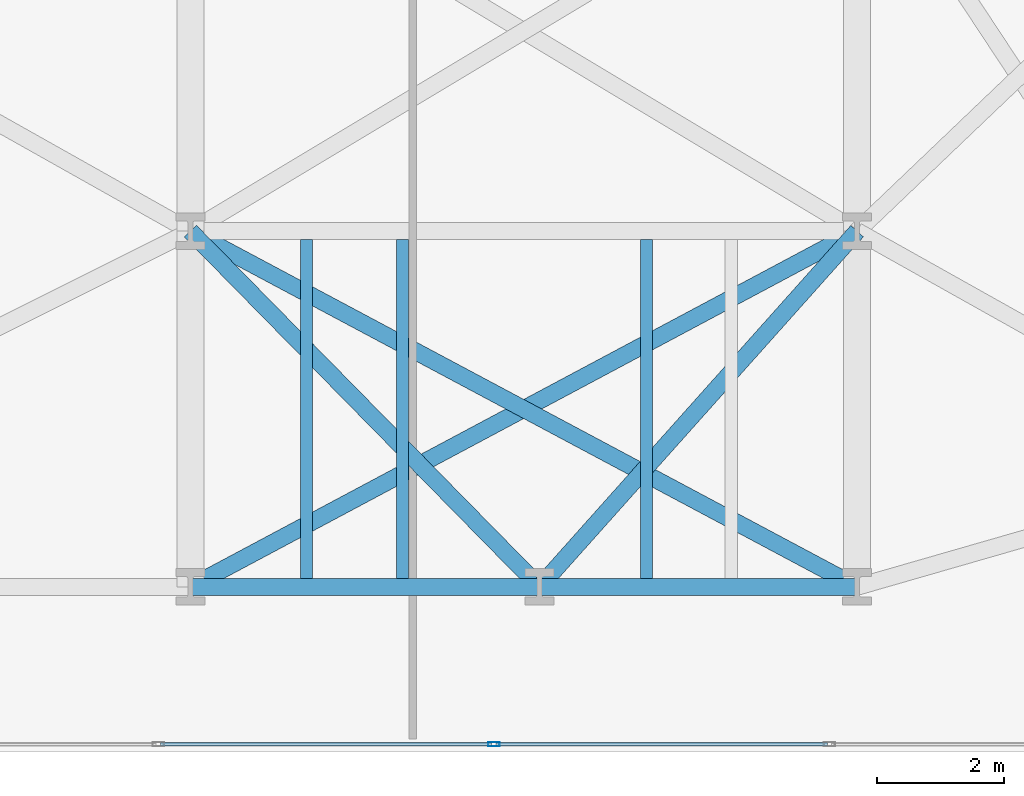
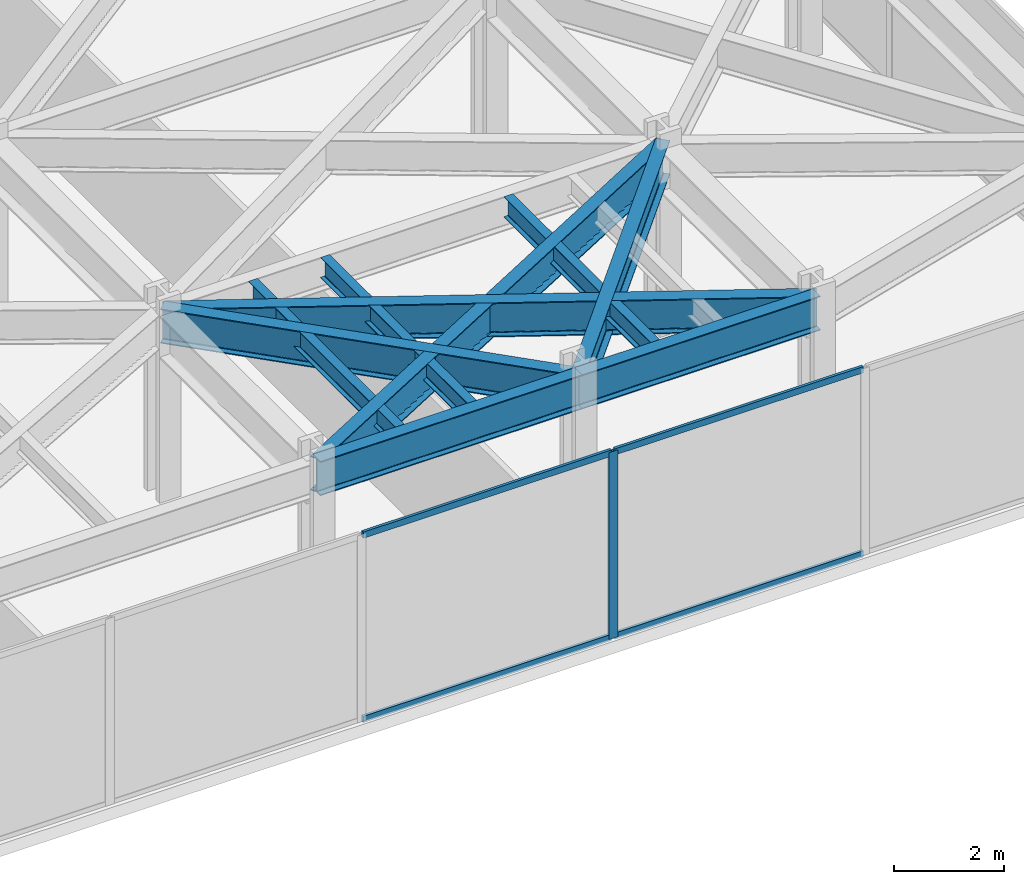
# One storey, part 17 of 30: 9 beams, 5 members, 1 element without a shape of its own.
"""IFC4 building model written with IfcOpenShell, lengths in metres."""

import ifcopenshell
import ifcopenshell.guid

model = None  # the IFC model being written
_history = None  # IfcOwnerHistory: only IFC2X3 demands one
_inside = {}  # id of a spatial element -> (the spatial element, [elements in it])
_under = {}  # id of a project, library or spatial element -> (it, [spatial elements below it])
_declared = {}  # id of a project -> (the project, [libraries it declares])
_typed = {}  # id of a type object -> (the type object, [elements of that type])
_made_of = {}  # id of a material, layer set ... -> (it, [elements and type objects made of it])


def new_model(schema):
    """Start an empty IFC model of exactly this schema.

    Asked for "IFC4X3", IfcOpenShell would pick the latest addendum, in which some entities
    have other attributes; the version numbers below select the first issue.
    IFC2X3 requires an IfcOwnerHistory on every rooted entity: one is made here for all.
    """
    global model, _history
    if schema == "IFC4X3":
        model = ifcopenshell.file(schema_version=(4, 3, 0, 0))
    else:
        model = ifcopenshell.file(schema=schema)
    _inside.clear()
    _under.clear()
    _declared.clear()
    _typed.clear()
    _made_of.clear()
    _history = None
    if model.schema == "IFC2X3":
        org = make("IfcOrganization", Name="unknown")
        user = make(
            "IfcPersonAndOrganization",
            ThePerson=make("IfcPerson", FamilyName="unknown"),
            TheOrganization=org,
        )
        app = make(
            "IfcApplication",
            ApplicationDeveloper=org,
            Version="unknown",
            ApplicationFullName="unknown",
            ApplicationIdentifier="unknown",
        )
        _history = make(
            "IfcOwnerHistory",
            OwningUser=user,
            OwningApplication=app,
            ChangeAction="ADDED",
            CreationDate=0,
        )
    return model


def make(cls, **values):
    """One entity of the class cls with the attributes given. An attribute that is None is left unset."""
    return model.create_entity(
        cls, **{name: value for name, value in values.items() if value is not None}
    )


def rooted(cls, **values):
    """An entity with a GlobalId (a new one), such as an element, a storey or a relation."""
    return make(cls, GlobalId=ifcopenshell.guid.new(), OwnerHistory=_history, **values)


def si_unit(unit_type, name, prefix=None):
    """IfcSIUnit, for example si_unit("LENGTHUNIT", "METRE", prefix="MILLI")."""
    return make("IfcSIUnit", UnitType=unit_type, Prefix=prefix, Name=name)


def assignment(units):
    """IfcUnitAssignment: the units of a project."""
    return None if units is None else make("IfcUnitAssignment", Units=units)


def point(xyz):
    """IfcCartesianPoint."""
    return None if xyz is None else make("IfcCartesianPoint", Coordinates=xyz)


def direction(xyz):
    """IfcDirection."""
    return None if xyz is None else make("IfcDirection", DirectionRatios=xyz)


def frame(location, z_axis=None, x_axis=None):
    """IfcAxis2Placement3D, a coordinate frame: its origin and axes. An axis left out is left unset."""
    return make(
        "IfcAxis2Placement3D",
        Location=point(location),
        Axis=direction(z_axis),
        RefDirection=direction(x_axis),
    )


def frame_2d(location, x_axis=None):
    """IfcAxis2Placement2D, a coordinate frame in the plane: its origin and x axis."""
    return make(
        "IfcAxis2Placement2D", Location=point(location), RefDirection=direction(x_axis)
    )


def origin():
    """The frame at (0, 0, 0) with its axes left unset."""
    return frame((0.0, 0.0, 0.0))


def origin_2d():
    """The frame at (0, 0) in the plane with its x axis left unset."""
    return frame_2d((0.0, 0.0))


def place(relative_to, where):
    """IfcLocalPlacement: puts the frame where relative to a parent placement (None: the world)."""
    return make(
        "IfcLocalPlacement", PlacementRelTo=relative_to, RelativePlacement=where
    )


def context(
    kind, dimensions, precision=None, world=None, true_north=None, identifier=None
):
    """IfcGeometricRepresentationContext, for example the 3D "Model" context."""
    return make(
        "IfcGeometricRepresentationContext",
        ContextIdentifier=identifier,
        ContextType=kind,
        CoordinateSpaceDimension=dimensions,
        Precision=precision,
        WorldCoordinateSystem=world,
        TrueNorth=true_north,
    )


def subcontext(parent, identifier, kind, view, scale=None):
    """IfcGeometricRepresentationSubContext, for example "Body" below "Model"."""
    return make(
        "IfcGeometricRepresentationSubContext",
        ContextIdentifier=identifier,
        ContextType=kind,
        ParentContext=parent,
        TargetScale=scale,
        TargetView=view,
    )


def project(units=None, contexts=None):
    """IfcProject with its units and contexts."""
    return rooted(
        "IfcProject",
        Name="project",
        RepresentationContexts=contexts,
        UnitsInContext=assignment(units),
    )


def spatial(cls, under=None, at=None, **own):
    """A site, building, storey or space (cls), placed at a placement, below another one or the project."""
    s = rooted(cls, ObjectPlacement=at, **own)
    if under is not None:
        _under.setdefault(under.id(), (under, []))[1].append(s)
    return s


def profile(cls, at=None, kind="AREA", **sizes):
    """A parametric profile (cls). Its sizes go by their IFC names, for example OverallWidth=200.0."""
    return make(cls, ProfileType=kind, Position=at, **sizes)


def hollow_rectangle(**sizes):
    """IfcRectangleHollowProfileDef."""
    return profile("IfcRectangleHollowProfileDef", **sizes)


def i_section(**sizes):
    """IfcIShapeProfileDef."""
    return profile("IfcIShapeProfileDef", **sizes)


def extrude(swept, where, along, depth):
    """IfcExtrudedAreaSolid: the profile swept, set in the frame where, extruded along a direction by depth."""
    return make(
        "IfcExtrudedAreaSolid",
        SweptArea=swept,
        Position=where,
        ExtrudedDirection=direction(along),
        Depth=depth,
    )


def shape(context_of_items, identifier, shape_type, items):
    """IfcShapeRepresentation: the items that make up one representation, for example the "Body"."""
    return make(
        "IfcShapeRepresentation",
        ContextOfItems=context_of_items,
        RepresentationIdentifier=identifier,
        RepresentationType=shape_type,
        Items=items,
    )


def material(Name=None, Category=None):
    """IfcMaterial."""
    return make("IfcMaterial", Name=Name, Category=Category)


def layer(
    of_material, thickness, ventilated=None, Name=None, Category=None, Priority=None
):
    """IfcMaterialLayer: one layer of a wall or slab, of a material (None: an air gap)."""
    return make(
        "IfcMaterialLayer",
        Material=of_material,
        LayerThickness=thickness,
        IsVentilated=ventilated,
        Name=Name,
        Category=Category,
        Priority=Priority,
    )


def layer_set(layers, Name=None):
    """IfcMaterialLayerSet."""
    return make("IfcMaterialLayerSet", MaterialLayers=layers, LayerSetName=Name)


def material_profile(
    of_material, cross_section, Name=None, Category=None, Priority=None
):
    """IfcMaterialProfile: a cross section and its material."""
    return make(
        "IfcMaterialProfile",
        Name=Name,
        Material=of_material,
        Profile=cross_section,
        Priority=Priority,
        Category=Category,
    )


def profile_set(profiles, Name=None, composite=None):
    """IfcMaterialProfileSet."""
    return make(
        "IfcMaterialProfileSet",
        Name=Name,
        MaterialProfiles=profiles,
        CompositeProfile=composite,
    )


def made_of(thing, what):
    """Note that an element or type object is made of a material, layer set ...; save() writes the relation."""
    if what is not None:
        _made_of.setdefault(what.id(), (what, []))[1].append(thing)
    return thing


def type_object(cls, material=None, **own):
    """A type object (cls), such as IfcWallType, which elements share."""
    return made_of(rooted(cls, **own), material)


def element(
    cls,
    number,
    at=None,
    inside=None,
    cuts=None,
    type_object=None,
    material=None,
    context=None,
    identifier="Body",
    shape_type=None,
    held_by="IfcProductDefinitionShape",
    body=None,
    shapes=None,
    **own,
):
    """One element of the class cls, such as IfcWall. Its Tag is "e" and its number.

    at: its placement. inside: the storey or other place that contains it. cuts: it is an
    opening in that element (IfcRelVoidsElement). A single representation is given by context,
    identifier, shape_type and body (its items); several are given by shapes. held_by: the class
    of the entity that holds the representations. save() writes the other relations.
    """
    e = rooted(cls, Tag="e%d" % number, ObjectPlacement=at, **own)
    if body is not None:
        shapes = [shape(context, identifier, shape_type, body)]
    if shapes is not None:
        e.Representation = make(held_by, Representations=shapes)
    if inside is not None:
        _inside.setdefault(inside.id(), (inside, []))[1].append(e)
    if cuts is not None:
        rooted(
            "IfcRelVoidsElement", RelatingBuildingElement=cuts, RelatedOpeningElement=e
        )
    if type_object is not None:
        _typed.setdefault(type_object.id(), (type_object, []))[1].append(e)
    return made_of(e, material)


def aggregate(whole, parts):
    """IfcRelAggregates: a whole, such as a stair, and the parts it consists of."""
    return rooted("IfcRelAggregates", RelatingObject=whole, RelatedObjects=parts)


def save(model, path):
    """Write the relations noted so far, then the file.

    IfcRelAggregates (storeys below a building ...), IfcRelContainedInSpatialStructure (elements
    in a storey), IfcRelDefinesByType, IfcRelAssociatesMaterial and IfcRelDeclares: one each for
    every whole, place, type object, material and project.
    """
    for whole, parts in _under.values():
        aggregate(whole, parts)
    for where, things in _inside.values():
        rooted(
            "IfcRelContainedInSpatialStructure",
            RelatedElements=things,
            RelatingStructure=where,
        )
    for kind, things in _typed.values():
        rooted("IfcRelDefinesByType", RelatedObjects=things, RelatingType=kind)
    for what, things in _made_of.values():
        rooted("IfcRelAssociatesMaterial", RelatedObjects=things, RelatingMaterial=what)
    for by, libraries in _declared.values():
        rooted("IfcRelDeclares", RelatingContext=by, RelatedDefinitions=libraries)
    model.write(path)


model = new_model("IFC4")

# Units and contexts
model_context = context("Model", 3, precision=1e-05, world=origin(), true_north=direction((0.0, 1.0)))
body_context = subcontext(model_context, "Body", "Model", "MODEL_VIEW")
ifc_project = project(units=[si_unit("LENGTHUNIT", "METRE"), si_unit("AREAUNIT", "SQUARE_METRE"), si_unit("VOLUMEUNIT", "CUBIC_METRE"), si_unit("PLANEANGLEUNIT", "RADIAN"), si_unit("MASSUNIT", "GRAM", prefix="KILO")], contexts=[model_context])

# Site, building, storey
site_placement = place(None, origin())
site = spatial("IfcSite", under=ifc_project, at=site_placement, CompositionType="ELEMENT")
building_placement = place(site_placement, origin())
building = spatial("IfcBuilding", under=site, at=building_placement, Name="Kravanh Interchange Tower", CompositionType="ELEMENT")
storey_placement = place(building_placement, frame((0.0, 0.0, 19.800048828125)))
storey = spatial("IfcBuildingStorey", under=building, at=storey_placement, Name="L04", CompositionType="ELEMENT", Elevation=19.800048828125)

# Curtain wall, members
ifc_material_1 = material(Name="Anodised Bronze Aluminium", Category="aluminium")
ifc_layer = layer(ifc_material_1, 0.179931640625)
ifc_layer_set = layer_set([ifc_layer], Name="Unitised Curtain Wall System CW-POD Podium Concourse")
curtain_wall_type = type_object("IfcCurtainWallType", Name="Unitised Curtain Wall System CW-POD Podium Concourse", PredefinedType="NOTDEFINED", material=ifc_layer_set)
curtain_wall_placement = place(storey_placement, origin())
curtain_wall = element("IfcCurtainWall", 1, at=curtain_wall_placement, inside=storey, type_object=curtain_wall_type, Name="L04 Unitised Curtain Wall CW-L04-04", PredefinedType="NOTDEFINED")
ifc_material_2 = material(Name="Anodised Bronze Aluminium", Category="aluminium")
ifc_material_profile_1 = material_profile(ifc_material_2, hollow_rectangle(XDim=0.070068359375, YDim=0.179931640625, WallThickness=0.00390625, at=origin_2d()), Name="ALU70X180X4")
ifc_profile_set_1 = profile_set([ifc_material_profile_1], Name="Anodised Bronze Aluminium")
member_type_1 = type_object("IfcMemberType", Name="Curtain Wall Mullion ALU70X180X4 Bronze", PredefinedType="MULLION", material=ifc_profile_set_1)
member_1_placement = place(storey_placement, frame((60.781005859375, 0.1201171875, 0.0), z_axis=(0.0, 0.0, 1.0), x_axis=(0.0, -1.0, 0.0)))
member_1 = element("IfcMember", 2, at=member_1_placement, type_object=member_type_1, Name="CW-POD mullion 3", PredefinedType="MULLION", context=body_context, shape_type="SweptSolid", body=[
    extrude(hollow_rectangle(XDim=0.070068359375, YDim=0.179931640625, WallThickness=0.00390625, at=origin_2d()), origin(), (0.0, 0.0, 1.0), 4.14990234375),
])
ifc_material_3 = material(Name="Anodised Bronze Aluminium", Category="aluminium")
ifc_material_profile_2 = material_profile(ifc_material_3, hollow_rectangle(XDim=0.06005859375, YDim=0.139892578125, WallThickness=0.00390625, at=origin_2d()), Name="ALU60X140X4")
ifc_profile_set_2 = profile_set([ifc_material_profile_2], Name="Anodised Bronze Aluminium")
member_type_2 = type_object("IfcMemberType", Name="Curtain Wall Transom ALU60X140X4 Bronze", PredefinedType="USERDEFINED", material=ifc_profile_set_2)
member_2_placement = place(storey_placement, frame((66.030517578125, 0.1201171875, 0.030029296875), z_axis=(-1.0, 0.0, 0.0), x_axis=(0.0, -1.0, 0.0)))
member_2 = element("IfcMember", 3, at=member_2_placement, type_object=member_type_2, Name="CW-POD transom 2.1", ObjectType="TRANSOM", PredefinedType="USERDEFINED", context=body_context, shape_type="SweptSolid", body=[
    extrude(hollow_rectangle(XDim=0.06005859375, YDim=0.139892578125, WallThickness=0.00390625, at=origin_2d()), origin(), (0.0, 0.0, 1.0), 5.214599609375),
])
member_3_placement = place(storey_placement, frame((66.030517578125, 0.1201171875, 4.119873046875), z_axis=(-1.0, 0.0, 0.0), x_axis=(0.0, -1.0, 0.0)))
member_3 = element("IfcMember", 4, at=member_3_placement, type_object=member_type_2, Name="CW-POD transom 2.2", ObjectType="TRANSOM", PredefinedType="USERDEFINED", context=body_context, shape_type="SweptSolid", body=[
    extrude(hollow_rectangle(XDim=0.06005859375, YDim=0.139892578125, WallThickness=0.00390625, at=origin_2d()), origin(), (0.0, 0.0, 1.0), 5.214599609375),
])
member_4_placement = place(storey_placement, frame((60.74609375, 0.1201171875, 0.030029296875), z_axis=(-1.0, 0.0, 0.0), x_axis=(0.0, -1.0, 0.0)))
member_4 = element("IfcMember", 5, at=member_4_placement, type_object=member_type_2, Name="CW-POD transom 3.1", ObjectType="TRANSOM", PredefinedType="USERDEFINED", context=body_context, shape_type="SweptSolid", body=[
    extrude(hollow_rectangle(XDim=0.06005859375, YDim=0.139892578125, WallThickness=0.00390625, at=origin_2d()), origin(), (0.0, 0.0, 1.0), 5.21484375),
])
member_5_placement = place(storey_placement, frame((60.74609375, 0.1201171875, 4.119873046875), z_axis=(-1.0, 0.0, 0.0), x_axis=(0.0, -1.0, 0.0)))
member_5 = element("IfcMember", 6, at=member_5_placement, type_object=member_type_2, Name="CW-POD transom 3.2", ObjectType="TRANSOM", PredefinedType="USERDEFINED", context=body_context, shape_type="SweptSolid", body=[
    extrude(hollow_rectangle(XDim=0.06005859375, YDim=0.139892578125, WallThickness=0.00390625, at=origin_2d()), origin(), (0.0, 0.0, 1.0), 5.21484375),
])
aggregate(curtain_wall, [member_1, member_2, member_3, member_4, member_5])

# Beams
ifc_material_4 = material(Name="Structural Steel S355", Category="steel")
ifc_material_profile_3 = material_profile(ifc_material_4, i_section(OverallWidth=0.18994140625, OverallDepth=0.45703125, WebThickness=0.009033203125, FlangeThickness=0.014404296875, FilletRadius=0.01806640625, at=origin_2d()), Name="W18X50")
ifc_profile_set_3 = profile_set([ifc_material_profile_3], Name="Structural Steel S355")
beam_type_1 = type_object("IfcBeamType", Name="Floor Joist W18X50 Structural Steel S355", PredefinedType="JOIST", material=ifc_profile_set_3)
for number, where, z_axis, x_axis, name in (
    (7, (57.825927734375, 2.728515625, 3.92138671875), (0.0, 1.0, 0.0), (-1.0, 0.0, 0.0), "L04 Secondary Floor Joist 9"),
    (8, (59.337890625, 2.728515625, 3.92138671875), (0.0, 1.0, 0.0), (-1.0, 0.0, 0.0), "L04 Secondary Floor Joist 10"),
    (9, (63.18603515625, 2.728515625, 3.92138671875), (0.0, 1.0, 0.0), (-1.0, 0.0, 0.0), "L04 Secondary Floor Joist 11"),
):
    element("IfcBeam", number, at=place(storey_placement, frame(where, z_axis=z_axis, x_axis=x_axis)), inside=storey, type_object=beam_type_1, Name=name, PredefinedType="JOIST", context=body_context, shape_type="SweptSolid", body=[
        extrude(i_section(OverallWidth=0.18994140625, OverallDepth=0.45703125, WebThickness=0.009033203125, FlangeThickness=0.014404296875, FilletRadius=0.01806640625, at=origin_2d()), origin(), (0.0, 0.0, 1.0), 5.343017578125),
    ])
ifc_material_5 = material(Name="Structural Steel S355", Category="steel")
ifc_material_profile_4 = material_profile(ifc_material_5, i_section(OverallWidth=0.26708984375, OverallDepth=0.761962890625, WebThickness=0.014404296875, FlangeThickness=0.021484375, FilletRadius=0.02490234375, at=origin_2d()), Name="W30X116")
ifc_profile_set_4 = profile_set([ifc_material_profile_4], Name="Structural Steel S355")
beam_type_2 = type_object("IfcBeamType", Name="Floor Spandrel W30X116 Structural Steel S355", PredefinedType="SPANDREL", material=ifc_profile_set_4)
beam_1_placement = place(storey_placement, frame((56.0, 2.60009765625, 3.76904296875), z_axis=(1.0, 0.0, 0.0), x_axis=(0.0, 1.0, 0.0)))
element("IfcBeam", 10, at=beam_1_placement, inside=storey, type_object=beam_type_2, Name="L04 Perimeter Spandrel 13", PredefinedType="SPANDREL", context=body_context, shape_type="SweptSolid", body=[
    extrude(i_section(OverallWidth=0.26708984375, OverallDepth=0.761962890625, WebThickness=0.014404296875, FlangeThickness=0.021484375, FilletRadius=0.02490234375, at=origin_2d()), origin(), (0.0, 0.0, 1.0), 5.5),
])
beam_2_placement = place(storey_placement, frame((56.0, 2.60009765625, 3.76904296875), z_axis=(0.882358052411, 0.470578651603, 0.0), x_axis=(-0.470578651603, 0.882358052411, 0.0)))
element("IfcBeam", 11, at=beam_2_placement, inside=storey, type_object=beam_type_2, Name="L04 Perimeter Spandrel 15", PredefinedType="SPANDREL", context=body_context, shape_type="SweptSolid", body=[
    extrude(i_section(OverallWidth=0.26708984375, OverallDepth=0.761962890625, WebThickness=0.014404296875, FlangeThickness=0.021484375, FilletRadius=0.02490234375, at=origin_2d()), origin(), (0.0, 0.0, 1.0), 11.89990234375),
])
beam_3_placement = place(storey_placement, frame((61.5, 2.60009765625, 3.76904296875), z_axis=(1.0, 0.0, 0.0), x_axis=(0.0, 1.0, 0.0)))
element("IfcBeam", 12, at=beam_3_placement, inside=storey, type_object=beam_type_2, Name="L04 Perimeter Spandrel 16", PredefinedType="SPANDREL", context=body_context, shape_type="SweptSolid", body=[
    extrude(i_section(OverallWidth=0.26708984375, OverallDepth=0.761962890625, WebThickness=0.014404296875, FlangeThickness=0.021484375, FilletRadius=0.02490234375, at=origin_2d()), origin(), (0.0, 0.0, 1.0), 5.0),
])
beam_4_placement = place(storey_placement, frame((61.5, 2.60009765625, 3.76904296875), z_axis=(0.666025463167, 0.745929006282, 0.0), x_axis=(-0.745929006282, 0.666025463167, 0.0)))
element("IfcBeam", 13, at=beam_4_placement, inside=storey, type_object=beam_type_2, Name="L04 Perimeter Spandrel 17", PredefinedType="SPANDREL", context=body_context, shape_type="SweptSolid", body=[
    extrude(i_section(OverallWidth=0.26708984375, OverallDepth=0.761962890625, WebThickness=0.014404296875, FlangeThickness=0.021484375, FilletRadius=0.02490234375, at=origin_2d()), origin(), (0.0, 0.0, 1.0), 7.50732421875),
])
beam_5_placement = place(storey_placement, frame((61.5, 2.60009765625, 3.76904296875), z_axis=(-0.700717344595, 0.71343899738, 0.0), x_axis=(-0.71343899738, -0.700717344595, 0.0)))
element("IfcBeam", 14, at=beam_5_placement, inside=storey, type_object=beam_type_2, Name="L04 Perimeter Spandrel 18", PredefinedType="SPANDREL", context=body_context, shape_type="SweptSolid", body=[
    extrude(i_section(OverallWidth=0.26708984375, OverallDepth=0.761962890625, WebThickness=0.014404296875, FlangeThickness=0.021484375, FilletRadius=0.02490234375, at=origin_2d()), origin(), (0.0, 0.0, 1.0), 7.84912109375),
])
beam_6_placement = place(storey_placement, frame((66.5, 2.60009765625, 3.76904296875), z_axis=(-0.882358052411, 0.470578651603, 0.0), x_axis=(-0.470578651603, -0.882358052411, 0.0)))
element("IfcBeam", 15, at=beam_6_placement, inside=storey, type_object=beam_type_2, Name="L04 Perimeter Spandrel 22", PredefinedType="SPANDREL", context=body_context, shape_type="SweptSolid", body=[
    extrude(i_section(OverallWidth=0.26708984375, OverallDepth=0.761962890625, WebThickness=0.014404296875, FlangeThickness=0.021484375, FilletRadius=0.02490234375, at=origin_2d()), origin(), (0.0, 0.0, 1.0), 11.89990234375),
])

save(model, "model.ifc")
